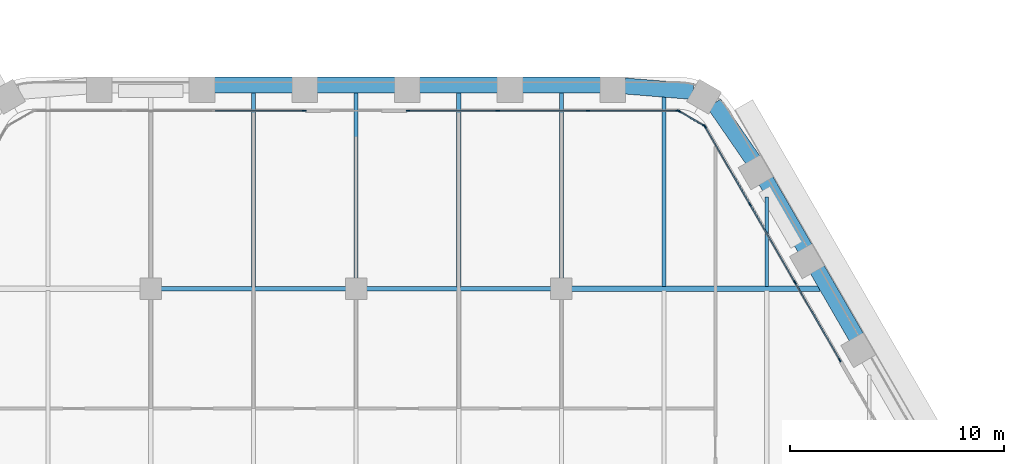
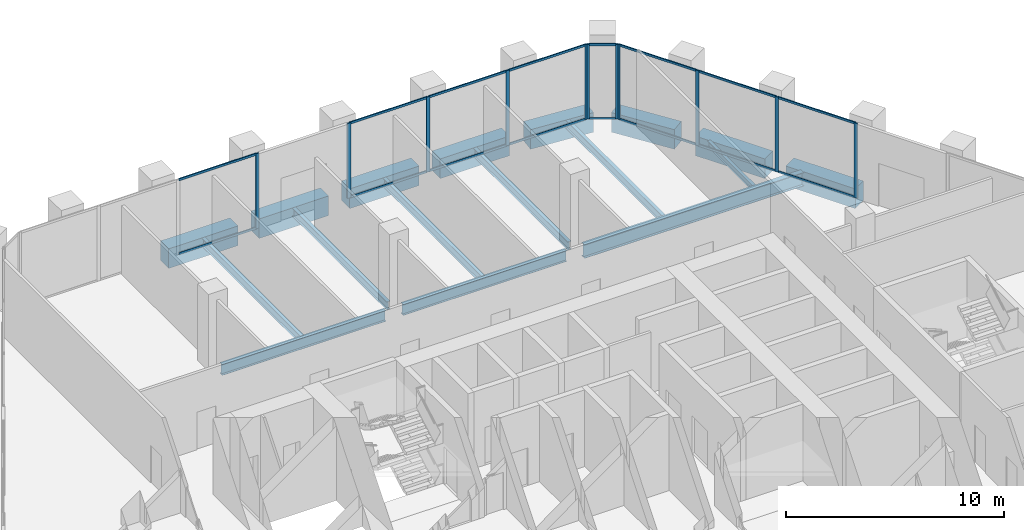
# One storey, part 10 of 27: 27 members, 17 beams, 4 elements without a shape of their own.
"""IFC4 building model written with IfcOpenShell, lengths in metres."""

from ifc_helpers import new_model, si_unit, direction, frame, origin, origin_2d, place, context, subcontext, project, spatial, rectangle, i_section, extrude, material, material_profile, profile_set, type_object, element, aggregate, save


model = new_model("IFC4")

# Units and contexts
model_context = context("Model", 3, precision=1e-05, world=origin(), true_north=direction((0.0, 1.0)))
body_context = subcontext(model_context, "Body", "Model", "MODEL_VIEW")
ifc_project = project(units=[si_unit("LENGTHUNIT", "METRE"), si_unit("AREAUNIT", "SQUARE_METRE"), si_unit("VOLUMEUNIT", "CUBIC_METRE"), si_unit("PLANEANGLEUNIT", "RADIAN"), si_unit("MASSUNIT", "GRAM", prefix="KILO")], contexts=[model_context])

# Site, building, storey
site_placement = place(None, origin())
site = spatial("IfcSite", under=ifc_project, at=site_placement, CompositionType="ELEMENT")
building_placement = place(site_placement, origin())
building = spatial("IfcBuilding", under=site, at=building_placement, Name="Kolab Exchange Tower", CompositionType="ELEMENT")
storey_placement = place(building_placement, frame((0.0, 0.0, 118.39990234375)))
storey = spatial("IfcBuildingStorey", under=building, at=storey_placement, Name="L23", CompositionType="ELEMENT", Elevation=118.39990234375)

# Beams
ifc_material_1 = material(Name="Steel S355", Category="steel")
ifc_material_profile_1 = material_profile(ifc_material_1, i_section(OverallWidth=0.1650390625, OverallDepth=0.31005859375, WebThickness=0.005859375, FlangeThickness=0.009765625, at=origin_2d()), Name="W310X39")
ifc_profile_set_1 = profile_set([ifc_material_profile_1], Name="Steel S355")
beam_type_1 = type_object("IfcBeamType", Name="FLOOR BEAM W310X39", PredefinedType="BEAM", material=ifc_profile_set_1)
beam_1_placement = place(storey_placement, frame((19.199951171875, 19.29345703125, -0.35498046875), z_axis=(0.0, 1.0, 0.0), x_axis=(-1.0, 0.0, 0.0)))
element("IfcBeam", 1, at=beam_1_placement, inside=storey, type_object=beam_type_1, Name="beam/L23/fr/045", PredefinedType="BEAM", context=body_context, shape_type="SweptSolid", body=[
    extrude(i_section(OverallWidth=0.1650390625, OverallDepth=0.31005859375, WebThickness=0.005859375, FlangeThickness=0.009765625, at=origin_2d()), origin(), (0.0, 0.0, 1.0), 4.18798828125),
])
ifc_material_profile_2 = material_profile(ifc_material_1, i_section(OverallWidth=0.18994140625, OverallDepth=0.45703125, WebThickness=0.009033203125, FlangeThickness=0.014404296875, at=origin_2d()), Name="W460X74")
ifc_profile_set_2 = profile_set([ifc_material_profile_2], Name="Steel S355")
beam_type_2 = type_object("IfcBeamType", Name="FLOOR BEAM W460X74", PredefinedType="BEAM", material=ifc_profile_set_2)
beam_2_placement = place(storey_placement, frame((-4.800048828125, 19.27392578125, -0.428466796875), z_axis=(0.0, 1.0, 0.0), x_axis=(-1.0, 0.0, 0.0)))
element("IfcBeam", 2, at=beam_2_placement, inside=storey, type_object=beam_type_2, Name="beam/L23/fr/023", PredefinedType="BEAM", context=body_context, shape_type="SweptSolid", body=[
    extrude(i_section(OverallWidth=0.18994140625, OverallDepth=0.45703125, WebThickness=0.009033203125, FlangeThickness=0.014404296875, at=origin_2d()), origin(), (0.0, 0.0, 1.0), 9.114501953125),
])
beam_3_placement = place(storey_placement, frame((0.0, 19.659912109375, -0.428466796875), z_axis=(0.0, 1.0, 0.0), x_axis=(-1.0, 0.0, 0.0)))
element("IfcBeam", 3, at=beam_3_placement, inside=storey, type_object=beam_type_2, Name="beam/L23/fr/027", PredefinedType="BEAM", context=body_context, shape_type="SweptSolid", body=[
    extrude(i_section(OverallWidth=0.18994140625, OverallDepth=0.45703125, WebThickness=0.009033203125, FlangeThickness=0.014404296875, at=origin_2d()), origin(), (0.0, 0.0, 1.0), 8.728515625),
])
beam_4_placement = place(storey_placement, frame((4.800048828125, 19.27392578125, -0.428466796875), z_axis=(0.0, 1.0, 0.0), x_axis=(-1.0, 0.0, 0.0)))
element("IfcBeam", 4, at=beam_4_placement, inside=storey, type_object=beam_type_2, Name="beam/L23/fr/031", PredefinedType="BEAM", context=body_context, shape_type="SweptSolid", body=[
    extrude(i_section(OverallWidth=0.18994140625, OverallDepth=0.45703125, WebThickness=0.009033203125, FlangeThickness=0.014404296875, at=origin_2d()), origin(), (0.0, 0.0, 1.0), 9.114501953125),
])
beam_5_placement = place(storey_placement, frame((9.60009765625, 19.659912109375, -0.428466796875), z_axis=(0.0, 1.0, 0.0), x_axis=(-1.0, 0.0, 0.0)))
element("IfcBeam", 5, at=beam_5_placement, inside=storey, type_object=beam_type_2, Name="beam/L23/fr/035", PredefinedType="BEAM", context=body_context, shape_type="SweptSolid", body=[
    extrude(i_section(OverallWidth=0.18994140625, OverallDepth=0.45703125, WebThickness=0.009033203125, FlangeThickness=0.014404296875, at=origin_2d()), origin(), (0.0, 0.0, 1.0), 8.728515625),
])
beam_6_placement = place(storey_placement, frame((14.39990234375, 19.29345703125, -0.428466796875), z_axis=(0.0, 1.0, 0.0), x_axis=(-1.0, 0.0, 0.0)))
element("IfcBeam", 6, at=beam_6_placement, inside=storey, type_object=beam_type_2, Name="beam/L23/fr/039", PredefinedType="BEAM", context=body_context, shape_type="SweptSolid", body=[
    extrude(i_section(OverallWidth=0.18994140625, OverallDepth=0.45703125, WebThickness=0.009033203125, FlangeThickness=0.014404296875, at=origin_2d()), origin(), (0.0, 0.0, 1.0), 8.901123046875),
])
ifc_material_profile_3 = material_profile(ifc_material_1, i_section(OverallWidth=0.22802734375, OverallDepth=0.60791015625, WebThickness=0.01123046875, FlangeThickness=0.017333984375, at=origin_2d()), Name="W610X113")
ifc_profile_set_3 = profile_set([ifc_material_profile_3], Name="Steel S355")
beam_type_3 = type_object("IfcBeamType", Name="FLOOR GIRDER W610X113", PredefinedType="BEAM", material=ifc_profile_set_3)
for number, where, z_axis, x_axis, name in (
    (7, (-9.139892578125, 19.199951171875, -0.50390625), (1.0, 0.0, 0.0), (0.0, 1.0, 0.0), "beam/L23/gd/009"),
    (8, (0.4599609375, 19.199951171875, -0.50390625), (1.0, 0.0, 0.0), (0.0, 1.0, 0.0), "beam/L23/gd/011"),
):
    element("IfcBeam", number, at=place(storey_placement, frame(where, z_axis=z_axis, x_axis=x_axis)), inside=storey, type_object=beam_type_3, Name=name, PredefinedType="BEAM", context=body_context, shape_type="SweptSolid", body=[
        extrude(i_section(OverallWidth=0.22802734375, OverallDepth=0.60791015625, WebThickness=0.01123046875, FlangeThickness=0.017333984375, at=origin_2d()), origin(), (0.0, 0.0, 1.0), 8.679931640625),
    ])
ifc_material_profile_4 = material_profile(ifc_material_1, i_section(OverallWidth=0.26708984375, OverallDepth=0.761962890625, WebThickness=0.014404296875, FlangeThickness=0.021484375, at=origin_2d()), Name="W760X173")
ifc_profile_set_4 = profile_set([ifc_material_profile_4], Name="Steel S355")
beam_type_4 = type_object("IfcBeamType", Name="FLOOR GIRDER W760X173", PredefinedType="BEAM", material=ifc_profile_set_4)
beam_7_placement = place(storey_placement, frame((10.06005859375, 19.199951171875, -0.580810546875), z_axis=(1.0, 0.0, 0.0), x_axis=(0.0, 1.0, 0.0)))
element("IfcBeam", 9, at=beam_7_placement, inside=storey, type_object=beam_type_4, Name="beam/L23/gd/013", PredefinedType="BEAM", context=body_context, shape_type="SweptSolid", body=[
    extrude(i_section(OverallWidth=0.26708984375, OverallDepth=0.761962890625, WebThickness=0.014404296875, FlangeThickness=0.021484375, at=origin_2d()), origin(), (0.0, 0.0, 1.0), 11.628662109375),
])
ifc_material_2 = material(Name="Concrete C70/85", Category="concrete")
ifc_material_profile_5 = material_profile(ifc_material_2, rectangle(XDim=0.75, YDim=1.10009765625, at=origin_2d()), Name="RC750X1100")
ifc_profile_set_5 = profile_set([ifc_material_profile_5], Name="Concrete C70/85")
beam_type_5 = type_object("IfcBeamType", Name="SPANDREL BEAM 750X1100 C70/85", PredefinedType="BEAM", material=ifc_profile_set_5)
beam_8_placement = place(storey_placement, frame((-6.639892578125, 28.723388671875, -0.75), z_axis=(1.0, 0.0, 0.0), x_axis=(0.0, 1.0, 0.0)))
element("IfcBeam", 10, at=beam_8_placement, inside=storey, type_object=beam_type_5, Name="beam/L23/sp/F1-03", PredefinedType="BEAM", context=body_context, shape_type="SweptSolid", body=[
    extrude(rectangle(XDim=0.75, YDim=1.10009765625, at=origin_2d()), origin(), (0.0, 0.0, 1.0), 3.679931640625),
])
beam_9_placement = place(storey_placement, frame((-1.840087890625, 28.723388671875, -0.75), z_axis=(1.0, 0.0, 0.0), x_axis=(0.0, 1.0, 0.0)))
element("IfcBeam", 11, at=beam_9_placement, inside=storey, type_object=beam_type_5, Name="beam/L23/sp/F1-04", PredefinedType="BEAM", context=body_context, shape_type="SweptSolid", body=[
    extrude(rectangle(XDim=0.75, YDim=1.10009765625, at=origin_2d()), origin(), (0.0, 0.0, 1.0), 3.68017578125),
])
for number, where, z_axis, x_axis, name in (
    (12, (2.9599609375, 28.723388671875, -0.75), (1.0, 0.0, 0.0), (0.0, 1.0, 0.0), "beam/L23/sp/F1-05"),
    (13, (7.760009765625, 28.723388671875, -0.75), (1.0, 0.0, 0.0), (0.0, 1.0, 0.0), "beam/L23/sp/F1-06"),
):
    element("IfcBeam", number, at=place(storey_placement, frame(where, z_axis=z_axis, x_axis=x_axis)), inside=storey, type_object=beam_type_5, Name=name, PredefinedType="BEAM", context=body_context, shape_type="SweptSolid", body=[
        extrude(rectangle(XDim=0.75, YDim=1.10009765625, at=origin_2d()), origin(), (0.0, 0.0, 1.0), 3.679931640625),
    ])
for number, where, z_axis, x_axis, name in (
    (14, (12.56005859375, 28.678466796875, -0.75), (0.996791038408, -0.080047646748, 0.0), (0.080047646748, 0.996791038408, 0.0), "beam/L23/sp/F1-07"),
    (15, (16.73486328125, 27.85791015625, -0.75), (0.567661826262, -0.823261836237, 0.0), (0.823261836237, 0.567661826262, 0.0), "beam/L23/sp/F2-01"),
):
    element("IfcBeam", number, at=place(storey_placement, frame(where, z_axis=z_axis, x_axis=x_axis)), inside=storey, type_object=beam_type_5, Name=name, PredefinedType="BEAM", context=body_context, shape_type="SweptSolid", body=[
        extrude(rectangle(XDim=0.75, YDim=1.10009765625, at=origin_2d()), origin(), (0.0, 0.0, 1.0), 3.20849609375),
    ])
for number, where, z_axis, x_axis, name in (
    (16, (19.1552734375, 24.26904296875, -0.75), (0.500013413428, -0.866017659399, 0.0), (0.866017659399, 0.500013413428, 0.0), "beam/L23/sp/F2-02"),
    (17, (21.55517578125, 20.112060546875, -0.75), (0.500013413428, -0.866017659399, 0.0), (0.866017659399, 0.500013413428, 0.0), "beam/L23/sp/F2-03"),
):
    element("IfcBeam", number, at=place(storey_placement, frame(where, z_axis=z_axis, x_axis=x_axis)), inside=storey, type_object=beam_type_5, Name=name, PredefinedType="BEAM", context=body_context, shape_type="SweptSolid", body=[
        extrude(rectangle(XDim=0.75, YDim=1.10009765625, at=origin_2d()), origin(), (0.0, 0.0, 1.0), 3.68017578125),
    ])

# Curtain wall, member
ifc_material_3 = material(Name="Aluminium EN AW-6063 T6", Category="aluminium")
curtain_wall_type = type_object("IfcCurtainWallType", Name="UNITISED LOWER MID ZONE CURTAIN WALL", PredefinedType="NOTDEFINED", material=ifc_material_3)
curtain_wall_1_placement = place(storey_placement, origin())
curtain_wall_1 = element("IfcCurtainWall", 18, at=curtain_wall_1_placement, inside=storey, type_object=curtain_wall_type, Name="cw/L23/F1-1", PredefinedType="NOTDEFINED")
ifc_material_profile_6 = material_profile(ifc_material_3, rectangle(XDim=0.06005859375, YDim=0.179931640625, at=origin_2d()), Name="RECT 60X180")
ifc_profile_set_6 = profile_set([ifc_material_profile_6], Name="Aluminium EN AW-6063 T6")
member_type_1 = type_object("IfcMemberType", Name="UNITISED LOWER MID ZONE MULLION 60 X 180", PredefinedType="MULLION", material=ifc_profile_set_6)
member_1_placement = place(storey_placement, frame((-2.429931640625, 27.5185546875, 0.0), z_axis=(0.0, 0.0, 1.0), x_axis=(0.0, 1.0, 0.0)))
member_1 = element("IfcMember", 19, at=member_1_placement, type_object=member_type_1, Name="CW2 mullion 4", PredefinedType="MULLION", context=body_context, shape_type="SweptSolid", body=[
    extrude(rectangle(XDim=0.06005859375, YDim=0.179931640625, at=origin_2d()), origin(), (0.0, 0.0, 1.0), 4.2001953125),
])

# Curtain wall, members
curtain_wall_2_placement = place(storey_placement, origin())
curtain_wall_2 = element("IfcCurtainWall", 20, at=curtain_wall_2_placement, inside=storey, type_object=curtain_wall_type, Name="cw/L23/F1-2", PredefinedType="NOTDEFINED")
member_2_placement = place(storey_placement, frame((2.429931640625, 27.5185546875, 0.0), z_axis=(0.0, 0.0, 1.0), x_axis=(0.0, 1.0, 0.0)))
member_2 = element("IfcMember", 21, at=member_2_placement, type_object=member_type_1, Name="CW2 mullion 1", PredefinedType="MULLION", context=body_context, shape_type="SweptSolid", body=[
    extrude(rectangle(XDim=0.06005859375, YDim=0.179931640625, at=origin_2d()), origin(), (0.0, 0.0, 1.0), 4.2001953125),
])
member_3_placement = place(storey_placement, frame((6.62255859375, 27.5185546875, 0.0), z_axis=(0.0, 0.0, 1.0), x_axis=(0.0, 1.0, 0.0)))
member_3 = element("IfcMember", 22, at=member_3_placement, type_object=member_type_1, Name="CW2 mullion 2", PredefinedType="MULLION", context=body_context, shape_type="SweptSolid", body=[
    extrude(rectangle(XDim=0.06005859375, YDim=0.179931640625, at=origin_2d()), origin(), (0.0, 0.0, 1.0), 4.2001953125),
])
member_4_placement = place(storey_placement, frame((10.84521484375, 27.5185546875, 0.0), z_axis=(0.0, 0.0, 1.0), x_axis=(0.0, 1.0, 0.0)))
member_4 = element("IfcMember", 23, at=member_4_placement, type_object=member_type_1, Name="CW2 mullion 3", PredefinedType="MULLION", context=body_context, shape_type="SweptSolid", body=[
    extrude(rectangle(XDim=0.06005859375, YDim=0.179931640625, at=origin_2d()), origin(), (0.0, 0.0, 1.0), 4.2001953125),
])
member_5_placement = place(storey_placement, frame((15.037841796875, 27.5185546875, 0.0), z_axis=(0.0, 0.0, 1.0), x_axis=(0.0, 1.0, 0.0)))
member_5 = element("IfcMember", 24, at=member_5_placement, type_object=member_type_1, Name="CW2 mullion 4", PredefinedType="MULLION", context=body_context, shape_type="SweptSolid", body=[
    extrude(rectangle(XDim=0.06005859375, YDim=0.179931640625, at=origin_2d()), origin(), (0.0, 0.0, 1.0), 4.2001953125),
])

curtain_wall_3_placement = place(storey_placement, origin())
curtain_wall_3 = element("IfcCurtainWall", 25, at=curtain_wall_3_placement, inside=storey, type_object=curtain_wall_type, Name="cw/L23/F2-1", PredefinedType="NOTDEFINED")
member_6_placement = place(storey_placement, frame((16.312744140625, 26.782470703125, 0.0), z_axis=(0.0, 0.0, 1.0), x_axis=(0.866025393644, 0.500000017564, 0.0)))
member_6 = element("IfcMember", 26, at=member_6_placement, type_object=member_type_1, Name="CW2 mullion 1", PredefinedType="MULLION", context=body_context, shape_type="SweptSolid", body=[
    extrude(rectangle(XDim=0.06005859375, YDim=0.179931640625, at=origin_2d()), origin(), (0.0, 0.0, 1.0), 4.2001953125),
])
member_7_placement = place(storey_placement, frame((18.408935546875, 23.151611328125, 0.0), z_axis=(0.0, 0.0, 1.0), x_axis=(0.866025393644, 0.500000017564, 0.0)))
member_7 = element("IfcMember", 27, at=member_7_placement, type_object=member_type_1, Name="CW2 mullion 2", PredefinedType="MULLION", context=body_context, shape_type="SweptSolid", body=[
    extrude(rectangle(XDim=0.06005859375, YDim=0.179931640625, at=origin_2d()), origin(), (0.0, 0.0, 1.0), 4.2001953125),
])
member_8_placement = place(storey_placement, frame((20.520263671875, 19.49462890625, 0.0), z_axis=(0.0, 0.0, 1.0), x_axis=(0.866025393644, 0.500000017564, 0.0)))
member_8 = element("IfcMember", 28, at=member_8_placement, type_object=member_type_1, Name="CW2 mullion 3", PredefinedType="MULLION", context=body_context, shape_type="SweptSolid", body=[
    extrude(rectangle(XDim=0.06005859375, YDim=0.179931640625, at=origin_2d()), origin(), (0.0, 0.0, 1.0), 4.2001953125),
])
member_9_placement = place(storey_placement, frame((22.61669921875, 15.86376953125, 0.0), z_axis=(0.0, 0.0, 1.0), x_axis=(0.866025393644, 0.500000017564, 0.0)))
member_9 = element("IfcMember", 29, at=member_9_placement, type_object=member_type_1, Name="CW2 mullion 4", PredefinedType="MULLION", context=body_context, shape_type="SweptSolid", body=[
    extrude(rectangle(XDim=0.06005859375, YDim=0.179931640625, at=origin_2d()), origin(), (0.0, 0.0, 1.0), 4.2001953125),
])

curtain_wall_4_placement = place(storey_placement, origin())
curtain_wall_4 = element("IfcCurtainWall", 30, at=curtain_wall_4_placement, inside=storey, type_object=curtain_wall_type, Name="cw/L23/F1F2-corner", PredefinedType="NOTDEFINED")
member_10_placement = place(storey_placement, frame((15.093994140625, 27.50341796875, 0.0), z_axis=(0.0, 0.0, 1.0), x_axis=(0.50000002237, 0.866025390869, 0.0)))
member_10 = element("IfcMember", 31, at=member_10_placement, type_object=member_type_1, Name="CW2 mullion 1", PredefinedType="MULLION", context=body_context, shape_type="SweptSolid", body=[
    extrude(rectangle(XDim=0.06005859375, YDim=0.179931640625, at=origin_2d()), origin(), (0.0, 0.0, 1.0), 4.2001953125),
])
member_11_placement = place(storey_placement, frame((16.271728515625, 26.823486328125, 0.0), z_axis=(0.0, 0.0, 1.0), x_axis=(0.50000002237, 0.866025390869, 0.0)))
member_11 = element("IfcMember", 32, at=member_11_placement, type_object=member_type_1, Name="CW2 mullion 2", PredefinedType="MULLION", context=body_context, shape_type="SweptSolid", body=[
    extrude(rectangle(XDim=0.06005859375, YDim=0.179931640625, at=origin_2d()), origin(), (0.0, 0.0, 1.0), 4.2001953125),
])

# Member
ifc_material_profile_7 = material_profile(ifc_material_3, rectangle(XDim=0.06005859375, YDim=0.1201171875, at=origin_2d()), Name="RECT 60X120")
ifc_profile_set_7 = profile_set([ifc_material_profile_7], Name="Aluminium EN AW-6063 T6")
member_type_2 = type_object("IfcMemberType", Name="UNITISED LOWER MID ZONE TRANSOM 60 X 120", PredefinedType="USERDEFINED", material=ifc_profile_set_7)
member_12_placement = place(storey_placement, frame((-6.592529296875, 27.5185546875, 0.030029296875), z_axis=(1.0, 0.0, 0.0), x_axis=(0.0, 1.0, 0.0)))
member_12 = element("IfcMember", 33, at=member_12_placement, type_object=member_type_2, Name="CW2 transom 3.1", ObjectType="TRANSOM", PredefinedType="USERDEFINED", context=body_context, shape_type="SweptSolid", body=[
    extrude(rectangle(XDim=0.06005859375, YDim=0.1201171875, at=origin_2d()), origin(), (0.0, 0.0, 1.0), 4.132568359375),
])

member_13_placement = place(storey_placement, frame((-6.592529296875, 27.5185546875, 4.170166015625), z_axis=(1.0, 0.0, 0.0), x_axis=(0.0, 1.0, 0.0)))
member_13 = element("IfcMember", 34, at=member_13_placement, type_object=member_type_2, Name="CW2 transom 3.2", ObjectType="TRANSOM", PredefinedType="USERDEFINED", context=body_context, shape_type="SweptSolid", body=[
    extrude(rectangle(XDim=0.06005859375, YDim=0.1201171875, at=origin_2d()), origin(), (0.0, 0.0, 1.0), 4.132568359375),
])

aggregate(curtain_wall_1, [member_1, member_12, member_13])

member_14_placement = place(storey_placement, frame((2.4599609375, 27.5185546875, 0.030029296875), z_axis=(1.0, 0.0, 0.0), x_axis=(0.0, 1.0, 0.0)))
member_14 = element("IfcMember", 35, at=member_14_placement, type_object=member_type_2, Name="CW2 transom 1.1", ObjectType="TRANSOM", PredefinedType="USERDEFINED", context=body_context, shape_type="SweptSolid", body=[
    extrude(rectangle(XDim=0.06005859375, YDim=0.1201171875, at=origin_2d()), origin(), (0.0, 0.0, 1.0), 4.132568359375),
])

member_15_placement = place(storey_placement, frame((2.4599609375, 27.5185546875, 4.170166015625), z_axis=(1.0, 0.0, 0.0), x_axis=(0.0, 1.0, 0.0)))
member_15 = element("IfcMember", 36, at=member_15_placement, type_object=member_type_2, Name="CW2 transom 1.2", ObjectType="TRANSOM", PredefinedType="USERDEFINED", context=body_context, shape_type="SweptSolid", body=[
    extrude(rectangle(XDim=0.06005859375, YDim=0.1201171875, at=origin_2d()), origin(), (0.0, 0.0, 1.0), 4.132568359375),
])

member_16_placement = place(storey_placement, frame((6.652587890625, 27.5185546875, 0.030029296875), z_axis=(1.0, 0.0, 0.0), x_axis=(0.0, 1.0, 0.0)))
member_16 = element("IfcMember", 37, at=member_16_placement, type_object=member_type_2, Name="CW2 transom 2.1", ObjectType="TRANSOM", PredefinedType="USERDEFINED", context=body_context, shape_type="SweptSolid", body=[
    extrude(rectangle(XDim=0.06005859375, YDim=0.1201171875, at=origin_2d()), origin(), (0.0, 0.0, 1.0), 4.16259765625),
])

member_17_placement = place(storey_placement, frame((6.652587890625, 27.5185546875, 4.170166015625), z_axis=(1.0, 0.0, 0.0), x_axis=(0.0, 1.0, 0.0)))
member_17 = element("IfcMember", 38, at=member_17_placement, type_object=member_type_2, Name="CW2 transom 2.2", ObjectType="TRANSOM", PredefinedType="USERDEFINED", context=body_context, shape_type="SweptSolid", body=[
    extrude(rectangle(XDim=0.06005859375, YDim=0.1201171875, at=origin_2d()), origin(), (0.0, 0.0, 1.0), 4.16259765625),
])

member_18_placement = place(storey_placement, frame((10.875244140625, 27.5185546875, 0.030029296875), z_axis=(1.0, 0.0, 0.0), x_axis=(0.0, 1.0, 0.0)))
member_18 = element("IfcMember", 39, at=member_18_placement, type_object=member_type_2, Name="CW2 transom 3.1", ObjectType="TRANSOM", PredefinedType="USERDEFINED", context=body_context, shape_type="SweptSolid", body=[
    extrude(rectangle(XDim=0.06005859375, YDim=0.1201171875, at=origin_2d()), origin(), (0.0, 0.0, 1.0), 4.1328125),
])

member_19_placement = place(storey_placement, frame((10.875244140625, 27.5185546875, 4.170166015625), z_axis=(1.0, 0.0, 0.0), x_axis=(0.0, 1.0, 0.0)))
member_19 = element("IfcMember", 40, at=member_19_placement, type_object=member_type_2, Name="CW2 transom 3.2", ObjectType="TRANSOM", PredefinedType="USERDEFINED", context=body_context, shape_type="SweptSolid", body=[
    extrude(rectangle(XDim=0.06005859375, YDim=0.1201171875, at=origin_2d()), origin(), (0.0, 0.0, 1.0), 4.1328125),
])

aggregate(curtain_wall_2, [member_2, member_3, member_4, member_5, member_14, member_15, member_16, member_17, member_18, member_19])

member_20_placement = place(storey_placement, frame((16.32763671875, 26.756591796875, 0.030029296875), z_axis=(0.500001996123, -0.866024251319, 0.0), x_axis=(0.866024251319, 0.500001996123, 0.0)))
member_20 = element("IfcMember", 41, at=member_20_placement, type_object=member_type_2, Name="CW2 transom 1.1", ObjectType="TRANSOM", PredefinedType="USERDEFINED", context=body_context, shape_type="SweptSolid", body=[
    extrude(rectangle(XDim=0.06005859375, YDim=0.1201171875, at=origin_2d()), origin(), (0.0, 0.0, 1.0), 4.1328125),
])

member_21_placement = place(storey_placement, frame((16.32763671875, 26.756591796875, 4.170166015625), z_axis=(0.500001996123, -0.866024251319, 0.0), x_axis=(0.866024251319, 0.500001996123, 0.0)))
member_21 = element("IfcMember", 42, at=member_21_placement, type_object=member_type_2, Name="CW2 transom 1.2", ObjectType="TRANSOM", PredefinedType="USERDEFINED", context=body_context, shape_type="SweptSolid", body=[
    extrude(rectangle(XDim=0.06005859375, YDim=0.1201171875, at=origin_2d()), origin(), (0.0, 0.0, 1.0), 4.1328125),
])

member_22_placement = place(storey_placement, frame((18.424072265625, 23.12548828125, 0.030029296875), z_axis=(0.49999322259, -0.866029316688, 0.0), x_axis=(0.866029316688, 0.49999322259, 0.0)))
member_22 = element("IfcMember", 43, at=member_22_placement, type_object=member_type_2, Name="CW2 transom 2.1", ObjectType="TRANSOM", PredefinedType="USERDEFINED", context=body_context, shape_type="SweptSolid", body=[
    extrude(rectangle(XDim=0.06005859375, YDim=0.1201171875, at=origin_2d()), origin(), (0.0, 0.0, 1.0), 4.16259765625),
])

member_23_placement = place(storey_placement, frame((18.424072265625, 23.12548828125, 4.170166015625), z_axis=(0.49999322259, -0.866029316688, 0.0), x_axis=(0.866029316688, 0.49999322259, 0.0)))
member_23 = element("IfcMember", 44, at=member_23_placement, type_object=member_type_2, Name="CW2 transom 2.2", ObjectType="TRANSOM", PredefinedType="USERDEFINED", context=body_context, shape_type="SweptSolid", body=[
    extrude(rectangle(XDim=0.06005859375, YDim=0.1201171875, at=origin_2d()), origin(), (0.0, 0.0, 1.0), 4.16259765625),
])

member_24_placement = place(storey_placement, frame((20.535400390625, 19.46875, 0.030029296875), z_axis=(0.499957688808, -0.866049830784, 0.0), x_axis=(0.866049830784, 0.499957688808, 0.0)))
member_24 = element("IfcMember", 45, at=member_24_placement, type_object=member_type_2, Name="CW2 transom 3.1", ObjectType="TRANSOM", PredefinedType="USERDEFINED", context=body_context, shape_type="SweptSolid", body=[
    extrude(rectangle(XDim=0.06005859375, YDim=0.1201171875, at=origin_2d()), origin(), (0.0, 0.0, 1.0), 4.132568359375),
])

member_25_placement = place(storey_placement, frame((20.535400390625, 19.46875, 4.170166015625), z_axis=(0.499957688808, -0.866049830784, 0.0), x_axis=(0.866049830784, 0.499957688808, 0.0)))
member_25 = element("IfcMember", 46, at=member_25_placement, type_object=member_type_2, Name="CW2 transom 3.2", ObjectType="TRANSOM", PredefinedType="USERDEFINED", context=body_context, shape_type="SweptSolid", body=[
    extrude(rectangle(XDim=0.06005859375, YDim=0.1201171875, at=origin_2d()), origin(), (0.0, 0.0, 1.0), 4.132568359375),
])

aggregate(curtain_wall_3, [member_6, member_7, member_8, member_9, member_20, member_21, member_22, member_23, member_24, member_25])

member_26_placement = place(storey_placement, frame((15.119873046875, 27.488525390625, 0.030029296875), z_axis=(0.866004217611, -0.500036693733, 0.0), x_axis=(0.500036693733, 0.866004217611, 0.0)))
member_26 = element("IfcMember", 47, at=member_26_placement, type_object=member_type_2, Name="CW2 transom 1.1", ObjectType="TRANSOM", PredefinedType="USERDEFINED", context=body_context, shape_type="SweptSolid", body=[
    extrude(rectangle(XDim=0.06005859375, YDim=0.1201171875, at=origin_2d()), origin(), (0.0, 0.0, 1.0), 1.30029296875),
])

member_27_placement = place(storey_placement, frame((15.119873046875, 27.488525390625, 4.170166015625), z_axis=(0.866004217611, -0.500036693733, 0.0), x_axis=(0.500036693733, 0.866004217611, 0.0)))
member_27 = element("IfcMember", 48, at=member_27_placement, type_object=member_type_2, Name="CW2 transom 1.2", ObjectType="TRANSOM", PredefinedType="USERDEFINED", context=body_context, shape_type="SweptSolid", body=[
    extrude(rectangle(XDim=0.06005859375, YDim=0.1201171875, at=origin_2d()), origin(), (0.0, 0.0, 1.0), 1.30029296875),
])

aggregate(curtain_wall_4, [member_10, member_11, member_26, member_27])

save(model, "model.ifc")
